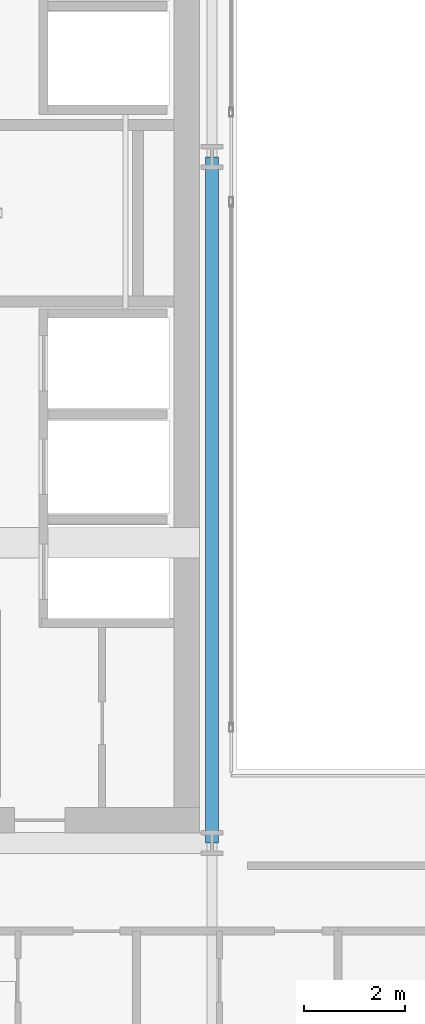
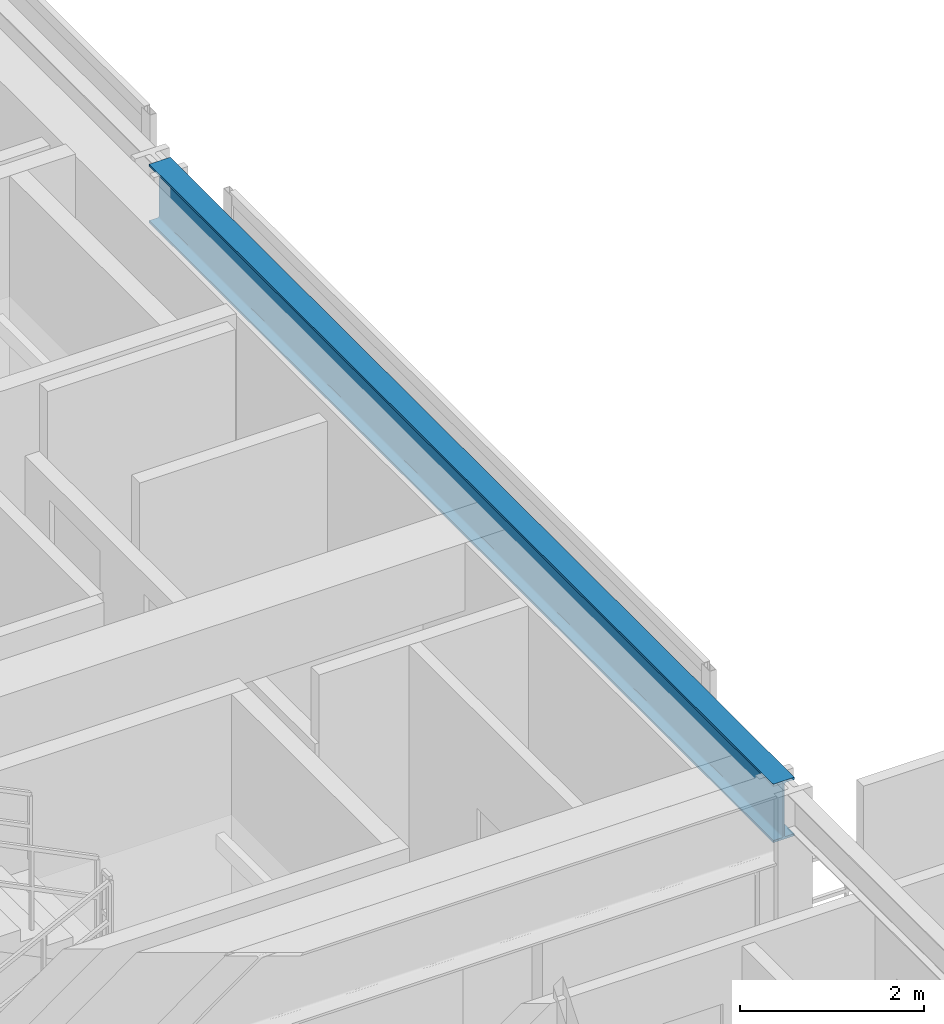
# One storey, part 6 of 38: 1 beam.
"""IFC4 building model written with IfcOpenShell, lengths in metres."""

from ifc_helpers import new_model, si_unit, direction, frame, origin, origin_2d, place, context, subcontext, project, spatial, i_section, extrude, source, transform, mapped, material, material_profile, profile_set, type_object, element, save


model = new_model("IFC4")

# Units and contexts
model_context = context("Model", 3, precision=1e-05, world=origin(), true_north=direction((0.0, 1.0)))
body_context = subcontext(model_context, "Body", "Model", "MODEL_VIEW")
ifc_project = project(units=[si_unit("LENGTHUNIT", "METRE"), si_unit("AREAUNIT", "SQUARE_METRE"), si_unit("VOLUMEUNIT", "CUBIC_METRE"), si_unit("PLANEANGLEUNIT", "RADIAN"), si_unit("MASSUNIT", "GRAM", prefix="KILO")], contexts=[model_context])

# Site, building, storey
site_placement = place(None, origin())
site = spatial("IfcSite", under=ifc_project, at=site_placement, CompositionType="ELEMENT")
building_placement = place(site_placement, origin())
building = spatial("IfcBuilding", under=site, at=building_placement, Name="Ocotamira Hotel", CompositionType="ELEMENT")
storey_placement = place(building_placement, frame((0.0, 0.0, 170.39990234375)))
storey = spatial("IfcBuildingStorey", under=building, at=storey_placement, Name="L42", CompositionType="ELEMENT", Elevation=170.39990234375)

# Beam
ifc_material = material(Name="Steel ASTM A992 Grade 50", Category="steel")
ifc_material_profile = material_profile(ifc_material, i_section(OverallWidth=0.26611328125, OverallDepth=0.779052734375, WebThickness=0.0166015625, FlangeThickness=0.030029296875, FilletRadius=0.01806640625, at=origin_2d()), Name="W30X148")
ifc_profile_set = profile_set([ifc_material_profile], Name="Steel ASTM A992 Grade 50")
beam_type = type_object("IfcBeamType", Name="BM-GIRD-W30X148", PredefinedType="BEAM", material=ifc_profile_set)
shared_shape = source(origin(), body_context, "Body", "SweptSolid", [
    extrude(i_section(OverallWidth=0.26611328125, OverallDepth=0.779052734375, WebThickness=0.0166015625, FlangeThickness=0.030029296875, FilletRadius=0.01806640625, at=origin_2d()), origin(), (0.0, 0.0, 1.0), 13.599853515625),
])
beam_placement = place(storey_placement, frame((23.5, 14.550048828125, 2.980712890625), z_axis=(0.0, 1.0, 0.0), x_axis=(-1.0, 0.0, 0.0)))
element("IfcBeam", 1, at=beam_placement, inside=storey, type_object=beam_type, Name="L42 Beam X23.5 Y14.55-28.15", PredefinedType="BEAM", context=body_context, shape_type="MappedRepresentation", body=[
    mapped(shared_shape, transform((0.0, 0.0, 0.0), scale=1.0)),
])

save(model, "model.ifc")
